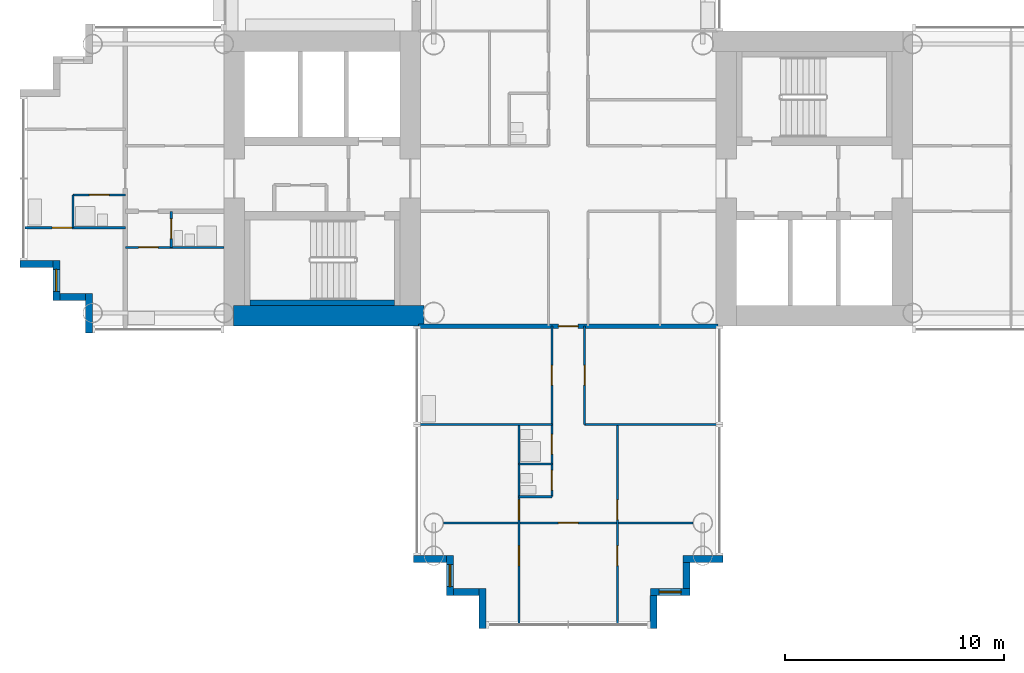
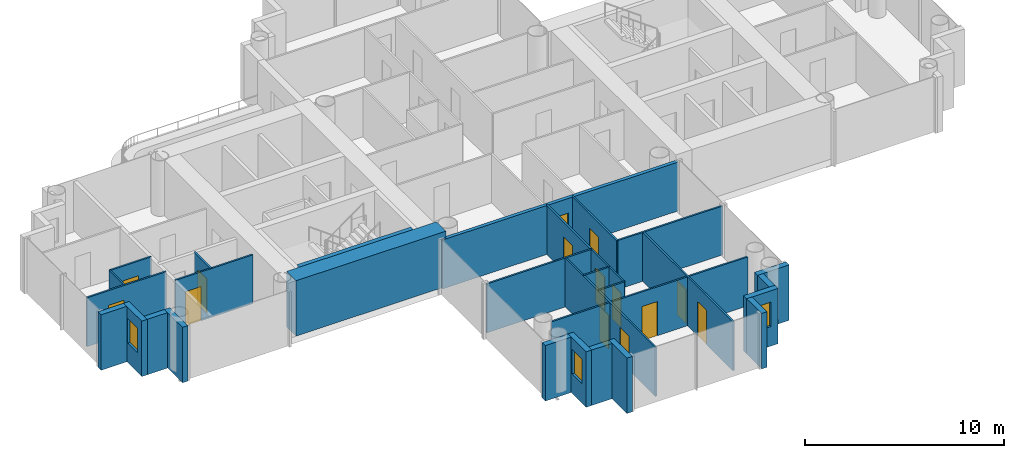
# One storey, part 9 of 22: 29 walls, 14 doors, 3 windows, 17 openings.
"""IFC4 building model written with IfcOpenShell, lengths in metres."""

from ifc_helpers import new_model, si_unit, direction, frame, frame_2d, origin, place, context, subcontext, project, spatial, rectangle, extrude, material, layer, layer_set, type_object, element, fill, save


model = new_model("IFC4")

# Units and contexts
model_context = context("Model", 3, precision=1e-05, world=origin(), true_north=direction((0.0, 1.0)))
body_context = subcontext(model_context, "Body", "Model", "MODEL_VIEW")
ifc_project = project(units=[si_unit("LENGTHUNIT", "METRE"), si_unit("AREAUNIT", "SQUARE_METRE"), si_unit("VOLUMEUNIT", "CUBIC_METRE"), si_unit("PLANEANGLEUNIT", "RADIAN"), si_unit("MASSUNIT", "GRAM", prefix="KILO")], contexts=[model_context])

# Site, building, storey
site_placement = place(None, origin())
site = spatial("IfcSite", under=ifc_project, at=site_placement, CompositionType="ELEMENT")
building_placement = place(site_placement, origin())
building = spatial("IfcBuilding", under=site, at=building_placement, Name="Ipe Terrace Towers", CompositionType="ELEMENT")
storey_placement = place(building_placement, frame((0.0, 0.0, 90.199951171875)))
storey = spatial("IfcBuildingStorey", under=building, at=storey_placement, Name="L24", CompositionType="ELEMENT", Elevation=90.199951171875)

# Wall
ifc_material_1 = material(Name="Concrete C40/50 with buff precast cladding", Category="concrete")
ifc_layer_1 = layer(ifc_material_1, 0.320068359375)
ifc_layer_set_1 = layer_set([ifc_layer_1], Name="BUFF CLADDING WALL 320")
wall_type_1 = type_object("IfcWallType", Name="BUFF CLADDING WALL 320", PredefinedType="STANDARD", material=ifc_layer_set_1)
wall_1_placement = place(storey_placement, frame((-61.070068359375, -3.909912109375, -0.300048828125), z_axis=(0.0, 0.0, 1.0), x_axis=(1.0, 0.0, 0.0)))
element("IfcWall", 1, at=wall_1_placement, inside=storey, type_object=wall_type_1, Name="T1-W-L24-00a wall", PredefinedType="STANDARD", context=body_context, shape_type="SweptSolid", body=[
    extrude(rectangle(XDim=1.5, YDim=0.320068359375, at=frame_2d((0.75, 0.0))), origin(), (0.0, 0.0, 1.0), 3.400146484375),
])

# Wall, opening, window
wall_2_placement = place(storey_placement, frame((-59.409912109375, -3.75, -0.300048828125), z_axis=(0.0, 0.0, 1.0), x_axis=(0.0, -1.0, 0.0)))
wall_2 = element("IfcWall", 2, at=wall_2_placement, inside=storey, type_object=wall_type_1, Name="T1-W-L24-01a wall", PredefinedType="STANDARD", context=body_context, shape_type="SweptSolid", body=[
    extrude(rectangle(XDim=1.820068359375, YDim=0.320068359375, at=frame_2d((0.91015625, 0.0))), origin(), (0.0, 0.0, 1.0), 3.400146484375),
])
opening_1_placement = place(wall_2_placement, frame((0.409912109375, 0.0, 1.199951171875)))
opening_1 = element("IfcOpeningElement", 3, at=opening_1_placement, cuts=wall_2, Name="Opening T1-W-05-L24-03", PredefinedType="OPENING", context=body_context, shape_type="SweptSolid", body=[
    extrude(rectangle(XDim=1.0, YDim=1.5, at=frame_2d((0.5, 0.75))), frame((0.0, 0.169921875, 0.0), z_axis=(0.0, -1.0, 0.0), x_axis=(1.0, 0.0, 0.0)), (0.0, 0.0, 1.0), 0.340087890625),
])
ifc_material_2 = material(Name="Glass, clear laminated", Category="glass")
window_type = type_object("IfcWindowType", Name="DWELLING WINDOW 1000 x 1500", PartitioningType="SINGLE_PANEL", PredefinedType="WINDOW", material=ifc_material_2)
window_1_placement = place(opening_1_placement, origin())
window_1 = element("IfcWindow", 4, at=window_1_placement, inside=storey, type_object=window_type, Name="W-05 window", OverallHeight=1.5, OverallWidth=1.0, PartitioningType="SINGLE_PANEL", PredefinedType="WINDOW", context=body_context, shape_type="SweptSolid", body=[
    extrude(rectangle(XDim=1.0, YDim=1.5, at=frame_2d((0.5, 0.75))), frame((0.0, 0.030029296875, 0.0), z_axis=(0.0, -1.0, 0.0), x_axis=(1.0, 0.0, 0.0)), (0.0, 0.0, 1.0), 0.06005859375),
])
fill(opening_1, window_1)

# Walls
wall_3_placement = place(storey_placement, frame((-59.25, -5.409912109375, -0.300048828125), z_axis=(0.0, 0.0, 1.0), x_axis=(1.0, 0.0, 0.0)))
element("IfcWall", 5, at=wall_3_placement, inside=storey, type_object=wall_type_1, Name="T1-W-L24-02a wall", PredefinedType="STANDARD", context=body_context, shape_type="SweptSolid", body=[
    extrude(rectangle(XDim=1.179931640625, YDim=0.320068359375, at=frame_2d((0.58984375, 0.0))), origin(), (0.0, 0.0, 1.0), 3.400146484375),
])
wall_4_placement = place(storey_placement, frame((-57.909912109375, -5.25, -0.300048828125), z_axis=(0.0, 0.0, 1.0), x_axis=(0.0, -1.0, 0.0)))
element("IfcWall", 6, at=wall_4_placement, inside=storey, type_object=wall_type_1, Name="T1-W-L24-03a wall", PredefinedType="STANDARD", context=body_context, shape_type="SweptSolid", body=[
    extrude(rectangle(XDim=1.820068359375, YDim=0.320068359375, at=frame_2d((0.91015625, 0.0))), origin(), (0.0, 0.0, 1.0), 3.400146484375),
])
wall_5_placement = place(storey_placement, frame((-43.070068359375, -17.409912109375, -0.300048828125), z_axis=(0.0, 0.0, 1.0), x_axis=(1.0, 0.0, 0.0)))
element("IfcWall", 7, at=wall_5_placement, inside=storey, type_object=wall_type_1, Name="T1-W-L24-08a wall", PredefinedType="STANDARD", context=body_context, shape_type="SweptSolid", body=[
    extrude(rectangle(XDim=1.5, YDim=0.320068359375, at=frame_2d((0.75, 0.0))), origin(), (0.0, 0.0, 1.0), 3.400146484375),
])

# Wall, opening, window
wall_6_placement = place(storey_placement, frame((-41.409912109375, -17.25, -0.300048828125), z_axis=(0.0, 0.0, 1.0), x_axis=(0.0, -1.0, 0.0)))
wall_6 = element("IfcWall", 8, at=wall_6_placement, inside=storey, type_object=wall_type_1, Name="T1-W-L24-09a wall", PredefinedType="STANDARD", context=body_context, shape_type="SweptSolid", body=[
    extrude(rectangle(XDim=1.820068359375, YDim=0.320068359375, at=frame_2d((0.91015625, 0.0))), origin(), (0.0, 0.0, 1.0), 3.400146484375),
])
opening_2_placement = place(wall_6_placement, frame((0.409912109375, 0.0, 1.199951171875)))
opening_2 = element("IfcOpeningElement", 9, at=opening_2_placement, cuts=wall_6, Name="Opening T1-W-05-L24-02", PredefinedType="OPENING", context=body_context, shape_type="SweptSolid", body=[
    extrude(rectangle(XDim=1.0, YDim=1.5, at=frame_2d((0.5, 0.75))), frame((0.0, 0.169921875, 0.0), z_axis=(0.0, -1.0, 0.0), x_axis=(1.0, 0.0, 0.0)), (0.0, 0.0, 1.0), 0.340087890625),
])
window_2_placement = place(opening_2_placement, origin())
window_2 = element("IfcWindow", 10, at=window_2_placement, inside=storey, type_object=window_type, Name="W-05 window", OverallHeight=1.5, OverallWidth=1.0, PartitioningType="SINGLE_PANEL", PredefinedType="WINDOW", context=body_context, shape_type="SweptSolid", body=[
    extrude(rectangle(XDim=1.0, YDim=1.5, at=frame_2d((0.5, 0.75))), frame((0.0, 0.030029296875, 0.0), z_axis=(0.0, -1.0, 0.0), x_axis=(1.0, 0.0, 0.0)), (0.0, 0.0, 1.0), 0.06005859375),
])
fill(opening_2, window_2)

# Walls
wall_7_placement = place(storey_placement, frame((-41.25, -18.909912109375, -0.300048828125), z_axis=(0.0, 0.0, 1.0), x_axis=(1.0, 0.0, 0.0)))
element("IfcWall", 11, at=wall_7_placement, inside=storey, type_object=wall_type_1, Name="T1-W-L24-10a wall", PredefinedType="STANDARD", context=body_context, shape_type="SweptSolid", body=[
    extrude(rectangle(XDim=1.179931640625, YDim=0.320068359375, at=frame_2d((0.58984375, 0.0))), origin(), (0.0, 0.0, 1.0), 3.400146484375),
])
wall_8_placement = place(storey_placement, frame((-39.909912109375, -18.75, -0.300048828125), z_axis=(0.0, 0.0, 1.0), x_axis=(0.0, -1.0, 0.0)))
element("IfcWall", 12, at=wall_8_placement, inside=storey, type_object=wall_type_1, Name="T1-W-L24-11a wall", PredefinedType="STANDARD", context=body_context, shape_type="SweptSolid", body=[
    extrude(rectangle(XDim=1.820068359375, YDim=0.320068359375, at=frame_2d((0.91015625, 0.0))), origin(), (0.0, 0.0, 1.0), 3.400146484375),
])
wall_9_placement = place(storey_placement, frame((-32.090087890625, -20.570068359375, -0.300048828125), z_axis=(0.0, 0.0, 1.0), x_axis=(0.0, 1.0, 0.0)))
element("IfcWall", 13, at=wall_9_placement, inside=storey, type_object=wall_type_1, Name="T1-W-L24-13a wall", PredefinedType="STANDARD", context=body_context, shape_type="SweptSolid", body=[
    extrude(rectangle(XDim=1.5, YDim=0.320068359375, at=frame_2d((0.75, 0.0))), origin(), (0.0, 0.0, 1.0), 3.400146484375),
])

# Wall, opening, window
wall_10_placement = place(storey_placement, frame((-32.25, -18.909912109375, -0.300048828125), z_axis=(0.0, 0.0, 1.0), x_axis=(1.0, 0.0, 0.0)))
wall_10 = element("IfcWall", 14, at=wall_10_placement, inside=storey, type_object=wall_type_1, Name="T1-W-L24-14a wall", PredefinedType="STANDARD", context=body_context, shape_type="SweptSolid", body=[
    extrude(rectangle(XDim=1.820068359375, YDim=0.320068359375, at=frame_2d((0.91015625, 0.0))), origin(), (0.0, 0.0, 1.0), 3.400146484375),
])
opening_3_placement = place(wall_10_placement, frame((0.409912109375, 0.0, 1.199951171875)))
opening_3 = element("IfcOpeningElement", 15, at=opening_3_placement, cuts=wall_10, Name="Opening T1-W-05-L24-01", PredefinedType="OPENING", context=body_context, shape_type="SweptSolid", body=[
    extrude(rectangle(XDim=1.0, YDim=1.5, at=frame_2d((0.5, 0.75))), frame((0.0, 0.169921875, 0.0), z_axis=(0.0, -1.0, 0.0), x_axis=(1.0, 0.0, 0.0)), (0.0, 0.0, 1.0), 0.340087890625),
])
window_3_placement = place(opening_3_placement, origin())
window_3 = element("IfcWindow", 16, at=window_3_placement, inside=storey, type_object=window_type, Name="W-05 window", OverallHeight=1.5, OverallWidth=1.0, PartitioningType="SINGLE_PANEL", PredefinedType="WINDOW", context=body_context, shape_type="SweptSolid", body=[
    extrude(rectangle(XDim=1.0, YDim=1.5, at=frame_2d((0.5, 0.75))), frame((0.0, 0.030029296875, 0.0), z_axis=(0.0, -1.0, 0.0), x_axis=(1.0, 0.0, 0.0)), (0.0, 0.0, 1.0), 0.06005859375),
])
fill(opening_3, window_3)

# Walls
wall_11_placement = place(storey_placement, frame((-30.590087890625, -18.75, -0.300048828125), z_axis=(0.0, 0.0, 1.0), x_axis=(0.0, 1.0, 0.0)))
element("IfcWall", 17, at=wall_11_placement, inside=storey, type_object=wall_type_1, Name="T1-W-L24-15a wall", PredefinedType="STANDARD", context=body_context, shape_type="SweptSolid", body=[
    extrude(rectangle(XDim=1.179931640625, YDim=0.320068359375, at=frame_2d((0.58984375, 0.0))), origin(), (0.0, 0.0, 1.0), 3.400146484375),
])
wall_12_placement = place(storey_placement, frame((-30.75, -17.409912109375, -0.300048828125), z_axis=(0.0, 0.0, 1.0), x_axis=(1.0, 0.0, 0.0)))
element("IfcWall", 18, at=wall_12_placement, inside=storey, type_object=wall_type_1, Name="T1-W-L24-16a wall", PredefinedType="STANDARD", context=body_context, shape_type="SweptSolid", body=[
    extrude(rectangle(XDim=1.820068359375, YDim=0.320068359375, at=frame_2d((0.91015625, 0.0))), origin(), (0.0, 0.0, 1.0), 3.400146484375),
])
ifc_material_3 = material(Name="Gypsum board partition", Category="plasterboard")
ifc_layer_2 = layer(ifc_material_3, 0.10009765625)
ifc_layer_set_2 = layer_set([ifc_layer_2], Name="Gypsum board partition 100 mm")
wall_type_2 = type_object("IfcWallType", Name="Gypsum board partition 100 mm", PredefinedType="PARTITIONING", material=ifc_layer_set_2)
wall_13_placement = place(storey_placement, frame((-58.64990234375, -2.25, 0.0), z_axis=(0.0, 0.0, 1.0), x_axis=(0.0, 1.0, 0.0)))
element("IfcWall", 19, at=wall_13_placement, inside=storey, type_object=wall_type_2, Name="Gypsum board partition T1 L24 W01", PredefinedType="PARTITIONING", context=body_context, shape_type="SweptSolid", body=[
    extrude(rectangle(XDim=1.5, YDim=0.10009765625, at=frame_2d((0.75, 0.0))), origin(), (0.0, 0.0, 1.0), 3.0),
])

# Wall, opening, door
wall_14_placement = place(storey_placement, frame((-54.14990234375, -3.14990234375, 0.0), z_axis=(0.0, 0.0, 1.0), x_axis=(0.0, 1.0, 0.0)))
wall_14 = element("IfcWall", 20, at=wall_14_placement, inside=storey, type_object=wall_type_2, Name="Gypsum board partition T1 L24 W03", PredefinedType="PARTITIONING", context=body_context, shape_type="SweptSolid", body=[
    extrude(rectangle(XDim=1.64990234375, YDim=0.10009765625, at=frame_2d((0.824951171875, 0.0))), origin(), (0.0, 0.0, 1.0), 3.0),
])
opening_4_placement = place(wall_14_placement, frame((0.39990234375, 0.0, 0.0)))
opening_4 = element("IfcOpeningElement", 21, at=opening_4_placement, cuts=wall_14, Name="Opening T1-Z2C-27", PredefinedType="OPENING", context=body_context, shape_type="SweptSolid", body=[
    extrude(rectangle(XDim=0.89990234375, YDim=2.10009765625, at=frame_2d((0.449951171875, 1.050048828125))), frame((0.0, 0.06005859375, 0.0), z_axis=(0.0, -1.0, 0.0), x_axis=(1.0, 0.0, 0.0)), (0.0, 0.0, 1.0), 0.1201171875),
])
ifc_material_4 = material(Name="Timber door leaf", Category="wood")
door_type_1 = type_object("IfcDoorType", Name="Bathroom door 900 x 2100", OperationType="NOTDEFINED", PredefinedType="DOOR", material=ifc_material_4)
door_1_placement = place(opening_4_placement, origin())
door_1 = element("IfcDoor", 22, at=door_1_placement, inside=storey, type_object=door_type_1, Name="Bathroom door T1-Z2C-27", OperationType="SINGLE_SWING_RIGHT", OverallHeight=2.10009765625, OverallWidth=0.89990234375, PredefinedType="DOOR", context=body_context, shape_type="SweptSolid", body=[
    extrude(rectangle(XDim=0.89990234375, YDim=2.10009765625, at=frame_2d((0.449951171875, 1.050048828125))), frame((0.0, 0.02490234375, 0.0), z_axis=(0.0, -1.0, 0.0), x_axis=(1.0, 0.0, 0.0)), (0.0, 0.0, 1.0), 0.050048828125),
])
fill(opening_4, door_1)

# Wall, openings, doors
wall_15_placement = place(storey_placement, frame((-38.25, -20.35009765625, 0.0), z_axis=(0.0, 0.0, 1.0), x_axis=(0.0, 1.0, 0.0)))
wall_15 = element("IfcWall", 23, at=wall_15_placement, inside=storey, type_object=wall_type_2, Name="Gypsum board partition T1 L24 W06", PredefinedType="PARTITIONING", context=body_context, shape_type="SweptSolid", body=[
    extrude(rectangle(XDim=9.10009765625, YDim=0.10009765625, at=frame_2d((4.550048828125, 0.0))), origin(), (0.0, 0.0, 1.0), 3.0),
])
opening_5_placement = place(wall_15_placement, frame((4.75, 0.0, 0.0)))
opening_5 = element("IfcOpeningElement", 24, at=opening_5_placement, cuts=wall_15, Name="Opening T1-Z2C-18", PredefinedType="OPENING", context=body_context, shape_type="SweptSolid", body=[
    extrude(rectangle(XDim=0.89990234375, YDim=2.10009765625, at=frame_2d((0.449951171875, 1.050048828125))), frame((0.0, 0.06005859375, 0.0), z_axis=(0.0, -1.0, 0.0), x_axis=(1.0, 0.0, 0.0)), (0.0, 0.0, 1.0), 0.1201171875),
])
opening_6_placement = place(wall_15_placement, frame((2.64990234375, 0.0, 0.0)))
opening_6 = element("IfcOpeningElement", 25, at=opening_6_placement, cuts=wall_15, Name="Opening T1-Z2C-21", PredefinedType="OPENING", context=body_context, shape_type="SweptSolid", body=[
    extrude(rectangle(XDim=0.89990234375, YDim=2.10009765625, at=frame_2d((0.449951171875, 1.050048828125))), frame((0.0, 0.06005859375, 0.0), z_axis=(0.0, -1.0, 0.0), x_axis=(1.0, 0.0, 0.0)), (0.0, 0.0, 1.0), 0.1201171875),
])
ifc_material_5 = material(Name="Timber door leaf", Category="wood")
door_type_2 = type_object("IfcDoorType", Name="Bedroom door 900 x 2100", OperationType="NOTDEFINED", PredefinedType="DOOR", material=ifc_material_5)
door_2_placement = place(opening_5_placement, origin())
door_2 = element("IfcDoor", 26, at=door_2_placement, inside=storey, type_object=door_type_2, Name="Bedroom door T1-Z2C-18", OperationType="SINGLE_SWING_LEFT", OverallHeight=2.10009765625, OverallWidth=0.89990234375, PredefinedType="DOOR", context=body_context, shape_type="SweptSolid", body=[
    extrude(rectangle(XDim=0.89990234375, YDim=2.10009765625, at=frame_2d((0.449951171875, 1.050048828125))), frame((0.0, 0.02490234375, 0.0), z_axis=(0.0, -1.0, 0.0), x_axis=(1.0, 0.0, 0.0)), (0.0, 0.0, 1.0), 0.050048828125),
])
fill(opening_5, door_2)
door_3_placement = place(opening_6_placement, origin())
door_3 = element("IfcDoor", 27, at=door_3_placement, inside=storey, type_object=door_type_2, Name="Bedroom door T1-Z2C-21", OperationType="SINGLE_SWING_RIGHT", OverallHeight=2.10009765625, OverallWidth=0.89990234375, PredefinedType="DOOR", context=body_context, shape_type="SweptSolid", body=[
    extrude(rectangle(XDim=0.89990234375, YDim=2.10009765625, at=frame_2d((0.449951171875, 1.050048828125))), frame((0.0, 0.02490234375, 0.0), z_axis=(0.0, -1.0, 0.0), x_axis=(1.0, 0.0, 0.0)), (0.0, 0.0, 1.0), 0.050048828125),
])
fill(opening_6, door_3)

wall_16_placement = place(storey_placement, frame((-36.75, -14.550048828125, 0.0), z_axis=(0.0, 0.0, 1.0), x_axis=(0.0, 1.0, 0.0)))
wall_16 = element("IfcWall", 28, at=wall_16_placement, inside=storey, type_object=wall_type_2, Name="Gypsum board partition T1 L24 W09", PredefinedType="PARTITIONING", context=body_context, shape_type="SweptSolid", body=[
    extrude(rectangle(XDim=7.800048828125, YDim=0.10009765625, at=frame_2d((3.89990234375, 0.0))), origin(), (0.0, 0.0, 1.0), 3.0),
])
opening_7_placement = place(wall_16_placement, frame((5.10009765625, 0.0, 0.0)))
opening_7 = element("IfcOpeningElement", 29, at=opening_7_placement, cuts=wall_16, Name="Opening T1-Z2C-13", PredefinedType="OPENING", context=body_context, shape_type="SweptSolid", body=[
    extrude(rectangle(XDim=0.89990234375, YDim=2.10009765625, at=frame_2d((0.449951171875, 1.050048828125))), frame((0.0, 0.06005859375, 0.0), z_axis=(0.0, -1.0, 0.0), x_axis=(1.0, 0.0, 0.0)), (0.0, 0.0, 1.0), 0.1201171875),
])
opening_8_placement = place(wall_16_placement, frame((1.949951171875, 0.0, 0.0)))
opening_8 = element("IfcOpeningElement", 30, at=opening_8_placement, cuts=wall_16, Name="Opening T1-Z2C-15", PredefinedType="OPENING", context=body_context, shape_type="SweptSolid", body=[
    extrude(rectangle(XDim=0.89990234375, YDim=2.10009765625, at=frame_2d((0.449951171875, 1.050048828125))), frame((0.0, 0.06005859375, 0.0), z_axis=(0.0, -1.0, 0.0), x_axis=(1.0, 0.0, 0.0)), (0.0, 0.0, 1.0), 0.1201171875),
])
opening_9_placement = place(wall_16_placement, frame((0.300048828125, 0.0, 0.0)))
opening_9 = element("IfcOpeningElement", 31, at=opening_9_placement, cuts=wall_16, Name="Opening T1-Z2C-16", PredefinedType="OPENING", context=body_context, shape_type="SweptSolid", body=[
    extrude(rectangle(XDim=0.89990234375, YDim=2.10009765625, at=frame_2d((0.449951171875, 1.050048828125))), frame((0.0, 0.06005859375, 0.0), z_axis=(0.0, -1.0, 0.0), x_axis=(1.0, 0.0, 0.0)), (0.0, 0.0, 1.0), 0.1201171875),
])
door_4_placement = place(opening_8_placement, origin())
door_4 = element("IfcDoor", 32, at=door_4_placement, inside=storey, type_object=door_type_1, Name="Bathroom door T1-Z2C-15", OperationType="SINGLE_SWING_RIGHT", OverallHeight=2.10009765625, OverallWidth=0.89990234375, PredefinedType="DOOR", context=body_context, shape_type="SweptSolid", body=[
    extrude(rectangle(XDim=0.89990234375, YDim=2.10009765625, at=frame_2d((0.449951171875, 1.050048828125))), frame((0.0, 0.02490234375, 0.0), z_axis=(0.0, -1.0, 0.0), x_axis=(1.0, 0.0, 0.0)), (0.0, 0.0, 1.0), 0.050048828125),
])
fill(opening_8, door_4)
door_5_placement = place(opening_9_placement, origin())
door_5 = element("IfcDoor", 33, at=door_5_placement, inside=storey, type_object=door_type_1, Name="Bathroom door T1-Z2C-16", OperationType="SINGLE_SWING_RIGHT", OverallHeight=2.10009765625, OverallWidth=0.89990234375, PredefinedType="DOOR", context=body_context, shape_type="SweptSolid", body=[
    extrude(rectangle(XDim=0.89990234375, YDim=2.10009765625, at=frame_2d((0.449951171875, 1.050048828125))), frame((0.0, 0.02490234375, 0.0), z_axis=(0.0, -1.0, 0.0), x_axis=(1.0, 0.0, 0.0)), (0.0, 0.0, 1.0), 0.050048828125),
])
fill(opening_9, door_5)
ifc_material_6 = material(Name="Timber door leaf", Category="wood")
door_type_3 = type_object("IfcDoorType", Name="Lounge door 900 x 2100", OperationType="NOTDEFINED", PredefinedType="DOOR", material=ifc_material_6)
door_6_placement = place(opening_7_placement, origin())
door_6 = element("IfcDoor", 34, at=door_6_placement, inside=storey, type_object=door_type_3, Name="Lounge door T1-Z2C-13", OperationType="SINGLE_SWING_LEFT", OverallHeight=2.10009765625, OverallWidth=0.89990234375, PredefinedType="DOOR", context=body_context, shape_type="SweptSolid", body=[
    extrude(rectangle(XDim=0.89990234375, YDim=2.10009765625, at=frame_2d((0.449951171875, 1.050048828125))), frame((0.0, 0.02490234375, 0.0), z_axis=(0.0, -1.0, 0.0), x_axis=(1.0, 0.0, 0.0)), (0.0, 0.0, 1.0), 0.050048828125),
])
fill(opening_7, door_6)

# Wall, opening, door
wall_17_placement = place(storey_placement, frame((-35.25, -11.25, 0.0), z_axis=(0.0, 0.0, 1.0), x_axis=(0.0, 1.0, 0.0)))
wall_17 = element("IfcWall", 35, at=wall_17_placement, inside=storey, type_object=wall_type_2, Name="Gypsum board partition T1 L24 W10", PredefinedType="PARTITIONING", context=body_context, shape_type="SweptSolid", body=[
    extrude(rectangle(XDim=4.5, YDim=0.10009765625, at=frame_2d((2.25, 0.0))), origin(), (0.0, 0.0, 1.0), 3.0),
])
opening_10_placement = place(wall_17_placement, frame((1.800048828125, 0.0, 0.0)))
opening_10 = element("IfcOpeningElement", 36, at=opening_10_placement, cuts=wall_17, Name="Opening T1-Z2C-12", PredefinedType="OPENING", context=body_context, shape_type="SweptSolid", body=[
    extrude(rectangle(XDim=0.89990234375, YDim=2.10009765625, at=frame_2d((0.449951171875, 1.050048828125))), frame((0.0, 0.06005859375, 0.0), z_axis=(0.0, -1.0, 0.0), x_axis=(1.0, 0.0, 0.0)), (0.0, 0.0, 1.0), 0.1201171875),
])
door_7_placement = place(opening_10_placement, origin())
door_7 = element("IfcDoor", 37, at=door_7_placement, inside=storey, type_object=door_type_3, Name="Lounge door T1-Z2C-12", OperationType="SINGLE_SWING_RIGHT", OverallHeight=2.10009765625, OverallWidth=0.89990234375, PredefinedType="DOOR", context=body_context, shape_type="SweptSolid", body=[
    extrude(rectangle(XDim=0.89990234375, YDim=2.10009765625, at=frame_2d((0.449951171875, 1.050048828125))), frame((0.0, 0.02490234375, 0.0), z_axis=(0.0, -1.0, 0.0), x_axis=(1.0, 0.0, 0.0)), (0.0, 0.0, 1.0), 0.050048828125),
])
fill(opening_10, door_7)

# Wall, openings, doors
wall_18_placement = place(storey_placement, frame((-33.75, -20.35009765625, 0.0), z_axis=(0.0, 0.0, 1.0), x_axis=(0.0, 1.0, 0.0)))
wall_18 = element("IfcWall", 38, at=wall_18_placement, inside=storey, type_object=wall_type_2, Name="Gypsum board partition T1 L24 W13", PredefinedType="PARTITIONING", context=body_context, shape_type="SweptSolid", body=[
    extrude(rectangle(XDim=9.10009765625, YDim=0.10009765625, at=frame_2d((4.550048828125, 0.0))), origin(), (0.0, 0.0, 1.0), 3.0),
])
opening_11_placement = place(wall_18_placement, frame((4.75, 0.0, 0.0)))
opening_11 = element("IfcOpeningElement", 39, at=opening_11_placement, cuts=wall_18, Name="Opening T1-Z2C-17", PredefinedType="OPENING", context=body_context, shape_type="SweptSolid", body=[
    extrude(rectangle(XDim=0.89990234375, YDim=2.10009765625, at=frame_2d((0.449951171875, 1.050048828125))), frame((0.0, 0.06005859375, 0.0), z_axis=(0.0, -1.0, 0.0), x_axis=(1.0, 0.0, 0.0)), (0.0, 0.0, 1.0), 0.1201171875),
])
opening_12_placement = place(wall_18_placement, frame((2.64990234375, 0.0, 0.0)))
opening_12 = element("IfcOpeningElement", 40, at=opening_12_placement, cuts=wall_18, Name="Opening T1-Z2C-20", PredefinedType="OPENING", context=body_context, shape_type="SweptSolid", body=[
    extrude(rectangle(XDim=0.89990234375, YDim=2.10009765625, at=frame_2d((0.449951171875, 1.050048828125))), frame((0.0, 0.06005859375, 0.0), z_axis=(0.0, -1.0, 0.0), x_axis=(1.0, 0.0, 0.0)), (0.0, 0.0, 1.0), 0.1201171875),
])
door_8_placement = place(opening_11_placement, origin())
door_8 = element("IfcDoor", 41, at=door_8_placement, inside=storey, type_object=door_type_2, Name="Bedroom door T1-Z2C-17", OperationType="SINGLE_SWING_RIGHT", OverallHeight=2.10009765625, OverallWidth=0.89990234375, PredefinedType="DOOR", context=body_context, shape_type="SweptSolid", body=[
    extrude(rectangle(XDim=0.89990234375, YDim=2.10009765625, at=frame_2d((0.449951171875, 1.050048828125))), frame((0.0, 0.02490234375, 0.0), z_axis=(0.0, -1.0, 0.0), x_axis=(1.0, 0.0, 0.0)), (0.0, 0.0, 1.0), 0.050048828125),
])
fill(opening_11, door_8)
door_9_placement = place(opening_12_placement, origin())
door_9 = element("IfcDoor", 42, at=door_9_placement, inside=storey, type_object=door_type_2, Name="Bedroom door T1-Z2C-20", OperationType="SINGLE_SWING_LEFT", OverallHeight=2.10009765625, OverallWidth=0.89990234375, PredefinedType="DOOR", context=body_context, shape_type="SweptSolid", body=[
    extrude(rectangle(XDim=0.89990234375, YDim=2.10009765625, at=frame_2d((0.449951171875, 1.050048828125))), frame((0.0, 0.02490234375, 0.0), z_axis=(0.0, -1.0, 0.0), x_axis=(1.0, 0.0, 0.0)), (0.0, 0.0, 1.0), 0.050048828125),
])
fill(opening_12, door_9)

# Wall, opening, door
wall_19_placement = place(storey_placement, frame((-41.699951171875, -15.75, 0.0), z_axis=(0.0, 0.0, 1.0), x_axis=(1.0, 0.0, 0.0)))
wall_19 = element("IfcWall", 43, at=wall_19_placement, inside=storey, type_object=wall_type_2, Name="Gypsum board partition T1 L24 W16", PredefinedType="PARTITIONING", context=body_context, shape_type="SweptSolid", body=[
    extrude(rectangle(XDim=11.39990234375, YDim=0.10009765625, at=frame_2d((5.699951171875, 0.0))), origin(), (0.0, 0.0, 1.0), 3.0),
])
opening_13_placement = place(wall_19_placement, frame((5.25, 0.0, 0.0)))
opening_13 = element("IfcOpeningElement", 44, at=opening_13_placement, cuts=wall_19, Name="Opening T1-Z2C-19", PredefinedType="OPENING", context=body_context, shape_type="SweptSolid", body=[
    extrude(rectangle(XDim=0.89990234375, YDim=2.10009765625, at=frame_2d((0.449951171875, 1.050048828125))), frame((0.0, 0.06005859375, 0.0), z_axis=(0.0, -1.0, 0.0), x_axis=(1.0, 0.0, 0.0)), (0.0, 0.0, 1.0), 0.1201171875),
])
door_10_placement = place(opening_13_placement, origin())
door_10 = element("IfcDoor", 45, at=door_10_placement, inside=storey, type_object=door_type_3, Name="Lounge door T1-Z2C-19", OperationType="SINGLE_SWING_RIGHT", OverallHeight=2.10009765625, OverallWidth=0.89990234375, PredefinedType="DOOR", context=body_context, shape_type="SweptSolid", body=[
    extrude(rectangle(XDim=0.89990234375, YDim=2.10009765625, at=frame_2d((0.449951171875, 1.050048828125))), frame((0.0, 0.02490234375, 0.0), z_axis=(0.0, -1.0, 0.0), x_axis=(1.0, 0.0, 0.0)), (0.0, 0.0, 1.0), 0.050048828125),
])
fill(opening_13, door_10)

# Walls
for number, where, z_axis, x_axis, name in (
    (46, (-38.25, -14.550048828125, 0.0), (0.0, 0.0, 1.0), (1.0, 0.0, 0.0), "Gypsum board partition T1 L24 W17"),
    (47, (-38.25, -13.050048828125, 0.0), (0.0, 0.0, 1.0), (1.0, 0.0, 0.0), "Gypsum board partition T1 L24 W18"),
):
    element("IfcWall", number, at=place(storey_placement, frame(where, z_axis=z_axis, x_axis=x_axis)), inside=storey, type_object=wall_type_2, Name=name, PredefinedType="PARTITIONING", context=body_context, shape_type="SweptSolid", body=[
        extrude(rectangle(XDim=1.5, YDim=0.10009765625, at=frame_2d((0.75, 0.0))), origin(), (0.0, 0.0, 1.0), 3.0),
    ])
for number, where, z_axis, x_axis, name in (
    (48, (-42.85009765625, -11.25, 0.0), (0.0, 0.0, 1.0), (1.0, 0.0, 0.0), "Gypsum board partition T1 L24 W19"),
    (49, (-35.25, -11.25, 0.0), (0.0, 0.0, 1.0), (1.0, 0.0, 0.0), "Gypsum board partition T1 L24 W20"),
):
    element("IfcWall", number, at=place(storey_placement, frame(where, z_axis=z_axis, x_axis=x_axis)), inside=storey, type_object=wall_type_2, Name=name, PredefinedType="PARTITIONING", context=body_context, shape_type="SweptSolid", body=[
        extrude(rectangle(XDim=6.10009765625, YDim=0.10009765625, at=frame_2d((3.050048828125, 0.0))), origin(), (0.0, 0.0, 1.0), 3.0),
    ])

# Wall, opening, door
wall_20_placement = place(storey_placement, frame((-56.25, -3.14990234375, 0.0), z_axis=(0.0, 0.0, 1.0), x_axis=(1.0, 0.0, 0.0)))
wall_20 = element("IfcWall", 50, at=wall_20_placement, inside=storey, type_object=wall_type_2, Name="Gypsum board partition T1 L24 W22", PredefinedType="PARTITIONING", context=body_context, shape_type="SweptSolid", body=[
    extrude(rectangle(XDim=4.5, YDim=0.10009765625, at=frame_2d((2.25, 0.0))), origin(), (0.0, 0.0, 1.0), 3.0),
])
opening_14_placement = place(wall_20_placement, frame((0.60009765625, 0.0, 0.0)))
opening_14 = element("IfcOpeningElement", 51, at=opening_14_placement, cuts=wall_20, Name="Opening T1-Z2C-26", PredefinedType="OPENING", context=body_context, shape_type="SweptSolid", body=[
    extrude(rectangle(XDim=0.89990234375, YDim=2.10009765625, at=frame_2d((0.449951171875, 1.050048828125))), frame((0.0, 0.06005859375, 0.0), z_axis=(0.0, -1.0, 0.0), x_axis=(1.0, 0.0, 0.0)), (0.0, 0.0, 1.0), 0.1201171875),
])
door_11_placement = place(opening_14_placement, origin())
door_11 = element("IfcDoor", 52, at=door_11_placement, inside=storey, type_object=door_type_2, Name="Bedroom door T1-Z2C-26", OperationType="SINGLE_SWING_LEFT", OverallHeight=2.10009765625, OverallWidth=0.89990234375, PredefinedType="DOOR", context=body_context, shape_type="SweptSolid", body=[
    extrude(rectangle(XDim=0.89990234375, YDim=2.10009765625, at=frame_2d((0.449951171875, 1.050048828125))), frame((0.0, 0.02490234375, 0.0), z_axis=(0.0, -1.0, 0.0), x_axis=(1.0, 0.0, 0.0)), (0.0, 0.0, 1.0), 0.050048828125),
])
fill(opening_14, door_11)

wall_21_placement = place(storey_placement, frame((-60.85009765625, -2.25, 0.0), z_axis=(0.0, 0.0, 1.0), x_axis=(1.0, 0.0, 0.0)))
wall_21 = element("IfcWall", 53, at=wall_21_placement, inside=storey, type_object=wall_type_2, Name="Gypsum board partition T1 L24 W23", PredefinedType="PARTITIONING", context=body_context, shape_type="SweptSolid", body=[
    extrude(rectangle(XDim=4.60009765625, YDim=0.10009765625, at=frame_2d((2.300048828125, 0.0))), origin(), (0.0, 0.0, 1.0), 3.0),
])
opening_15_placement = place(wall_21_placement, frame((1.25, 0.0, 0.0)))
opening_15 = element("IfcOpeningElement", 54, at=opening_15_placement, cuts=wall_21, Name="Opening T1-Z2C-31", PredefinedType="OPENING", context=body_context, shape_type="SweptSolid", body=[
    extrude(rectangle(XDim=0.89990234375, YDim=2.10009765625, at=frame_2d((0.449951171875, 1.050048828125))), frame((0.0, 0.06005859375, 0.0), z_axis=(0.0, -1.0, 0.0), x_axis=(1.0, 0.0, 0.0)), (0.0, 0.0, 1.0), 0.1201171875),
])
door_12_placement = place(opening_15_placement, origin())
door_12 = element("IfcDoor", 55, at=door_12_placement, inside=storey, type_object=door_type_2, Name="Bedroom door T1-Z2C-31", OperationType="SINGLE_SWING_LEFT", OverallHeight=2.10009765625, OverallWidth=0.89990234375, PredefinedType="DOOR", context=body_context, shape_type="SweptSolid", body=[
    extrude(rectangle(XDim=0.89990234375, YDim=2.10009765625, at=frame_2d((0.449951171875, 1.050048828125))), frame((0.0, 0.02490234375, 0.0), z_axis=(0.0, -1.0, 0.0), x_axis=(1.0, 0.0, 0.0)), (0.0, 0.0, 1.0), 0.050048828125),
])
fill(opening_15, door_12)

wall_22_placement = place(storey_placement, frame((-58.64990234375, -0.75, 0.0), z_axis=(0.0, 0.0, 1.0), x_axis=(1.0, 0.0, 0.0)))
wall_22 = element("IfcWall", 56, at=wall_22_placement, inside=storey, type_object=wall_type_2, Name="Gypsum board partition T1 L24 W28", PredefinedType="PARTITIONING", context=body_context, shape_type="SweptSolid", body=[
    extrude(rectangle(XDim=2.39990234375, YDim=0.10009765625, at=frame_2d((1.199951171875, 0.0))), origin(), (0.0, 0.0, 1.0), 3.0),
])
opening_16_placement = place(wall_22_placement, frame((0.75, 0.0, 0.0)))
opening_16 = element("IfcOpeningElement", 57, at=opening_16_placement, cuts=wall_22, Name="Opening T1-Z2C-29", PredefinedType="OPENING", context=body_context, shape_type="SweptSolid", body=[
    extrude(rectangle(XDim=0.89990234375, YDim=2.10009765625, at=frame_2d((0.449951171875, 1.050048828125))), frame((0.0, 0.06005859375, 0.0), z_axis=(0.0, -1.0, 0.0), x_axis=(1.0, 0.0, 0.0)), (0.0, 0.0, 1.0), 0.1201171875),
])
door_13_placement = place(opening_16_placement, origin())
door_13 = element("IfcDoor", 58, at=door_13_placement, inside=storey, type_object=door_type_1, Name="Bathroom door T1-Z2C-29", OperationType="SINGLE_SWING_RIGHT", OverallHeight=2.10009765625, OverallWidth=0.89990234375, PredefinedType="DOOR", context=body_context, shape_type="SweptSolid", body=[
    extrude(rectangle(XDim=0.89990234375, YDim=2.10009765625, at=frame_2d((0.449951171875, 1.050048828125))), frame((0.0, 0.02490234375, 0.0), z_axis=(0.0, -1.0, 0.0), x_axis=(1.0, 0.0, 0.0)), (0.0, 0.0, 1.0), 0.050048828125),
])
fill(opening_16, door_13)

ifc_material_7 = material(Name="Gypsum board party wall", Category="plasterboard")
ifc_layer_3 = layer(ifc_material_7, 0.199951171875)
ifc_layer_set_3 = layer_set([ifc_layer_3], Name="Gypsum board party wall 200 mm")
wall_type_3 = type_object("IfcWallType", Name="Gypsum board party wall 200 mm", PredefinedType="SOLIDWALL", material=ifc_layer_set_3)
wall_23_placement = place(storey_placement, frame((-42.85009765625, -6.75, 0.0), z_axis=(0.0, 0.0, 1.0), x_axis=(1.0, 0.0, 0.0)))
wall_23 = element("IfcWall", 59, at=wall_23_placement, inside=storey, type_object=wall_type_3, Name="Gypsum board party wall T1 L24 W21", PredefinedType="SOLIDWALL", context=body_context, shape_type="SweptSolid", body=[
    extrude(rectangle(XDim=13.7001953125, YDim=0.199951171875, at=frame_2d((6.85009765625, 0.0))), origin(), (0.0, 0.0, 1.0), 3.0),
])
opening_17_placement = place(wall_23_placement, frame((6.39990234375, 0.0, 0.0)))
opening_17 = element("IfcOpeningElement", 60, at=opening_17_placement, cuts=wall_23, Name="Opening T1-Z2C-14", PredefinedType="OPENING", context=body_context, shape_type="SweptSolid", body=[
    extrude(rectangle(XDim=0.89990234375, YDim=2.10009765625, at=frame_2d((0.449951171875, 1.050048828125))), frame((0.0, 0.10986328125, 0.0), z_axis=(0.0, -1.0, 0.0), x_axis=(1.0, 0.0, 0.0)), (0.0, 0.0, 1.0), 0.219970703125),
])
ifc_material_8 = material(Name="Fire-rated timber door leaf", Category="wood")
door_type_4 = type_object("IfcDoorType", Name="Flat entrance door 900 x 2100 FD30S", OperationType="NOTDEFINED", PredefinedType="DOOR", material=ifc_material_8)
door_14_placement = place(opening_17_placement, origin())
door_14 = element("IfcDoor", 61, at=door_14_placement, inside=storey, type_object=door_type_4, Name="Flat entrance door T1-Z2C-14", OperationType="SINGLE_SWING_RIGHT", OverallHeight=2.10009765625, OverallWidth=0.89990234375, PredefinedType="DOOR", context=body_context, shape_type="SweptSolid", body=[
    extrude(rectangle(XDim=0.89990234375, YDim=2.10009765625, at=frame_2d((0.449951171875, 1.050048828125))), frame((0.0, 0.02490234375, 0.0), z_axis=(0.0, -1.0, 0.0), x_axis=(1.0, 0.0, 0.0)), (0.0, 0.0, 1.0), 0.050048828125),
])
fill(opening_17, door_14)

# Walls
ifc_material_9 = material(Name="Concrete C50/60", Category="concrete")
ifc_layer_4 = layer(ifc_material_9, 0.25)
ifc_layer_set_4 = layer_set([ifc_layer_4], Name="RW250 CORE INFILL WALL 250 C50-60")
wall_type_4 = type_object("IfcWallType", Name="RW250 CORE INFILL WALL 250 C50-60", PredefinedType="SHEAR", material=ifc_layer_set_4)
wall_24_placement = place(storey_placement, frame((-43.949951171875, -5.675048828125, 0.0), z_axis=(0.0, 0.0, 1.0), x_axis=(-1.0, 0.0, 0.0)))
element("IfcWall", 62, at=wall_24_placement, inside=storey, type_object=wall_type_4, Name="Core infill wall T1-C2-back", PredefinedType="SHEAR", context=body_context, shape_type="SweptSolid", body=[
    extrude(rectangle(XDim=6.60009765625, YDim=0.25, at=frame_2d((3.300048828125, 0.0))), origin(), (0.0, 0.0, 1.0), 3.400146484375),
])
ifc_material_10 = material(Name="Concrete C50/60", Category="concrete")
ifc_layer_5 = layer(ifc_material_10, 0.949951171875)
ifc_layer_set_5 = layer_set([ifc_layer_5], Name="RW950 CORE WALL 950 C50-60")
wall_type_5 = type_object("IfcWallType", Name="RW950 CORE WALL 950 C50-60", PredefinedType="SHEAR", material=ifc_layer_set_5)
wall_25_placement = place(storey_placement, frame((-51.298095703125, -6.27490234375, 0.0), z_axis=(0.0, 0.0, 1.0), x_axis=(1.0, 0.0, 0.0)))
element("IfcWall", 63, at=wall_25_placement, inside=storey, type_object=wall_type_5, Name="Core wall T1-C2-Z2-W01", PredefinedType="SHEAR", context=body_context, shape_type="SweptSolid", body=[
    extrude(rectangle(XDim=8.696044921875, YDim=0.949951171875, at=frame_2d((4.34814453125, 0.0))), origin(), (0.0, 0.0, 1.0), 3.400146484375),
])

save(model, "model.ifc")
